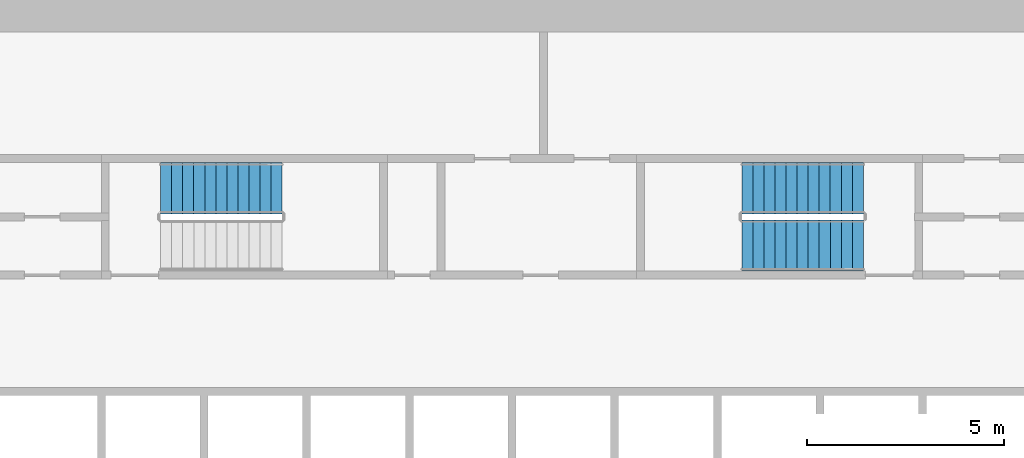
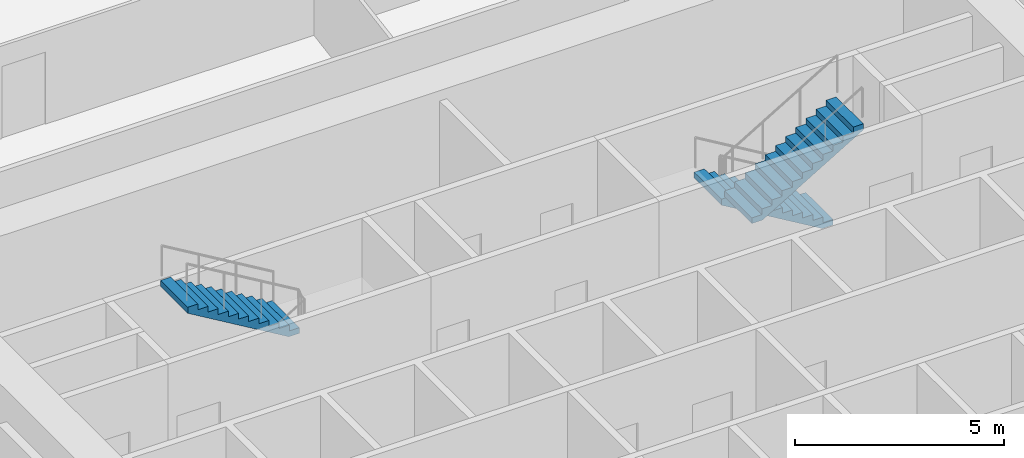
# One storey, part 8 of 10: 3 stair flights, 2 elements without a shape of their own.
"""IFC4 building model written with IfcOpenShell, lengths in metres."""

from ifc_helpers import new_model, si_unit, direction, frame, origin, place, context, subcontext, project, spatial, polyline, outline, extrude, material, type_object, element, aggregate, save


model = new_model("IFC4")

# Units and contexts
model_context = context("Model", 3, precision=1e-05, world=origin(), true_north=direction((0.0, 1.0)))
body_context = subcontext(model_context, "Body", "Model", "MODEL_VIEW")
ifc_project = project(units=[si_unit("LENGTHUNIT", "METRE"), si_unit("AREAUNIT", "SQUARE_METRE"), si_unit("VOLUMEUNIT", "CUBIC_METRE"), si_unit("PLANEANGLEUNIT", "RADIAN"), si_unit("MASSUNIT", "GRAM", prefix="KILO")], contexts=[model_context])

# Site, building, storey
site_placement = place(None, origin())
site = spatial("IfcSite", under=ifc_project, at=site_placement, CompositionType="ELEMENT")
building_placement = place(site_placement, origin())
building = spatial("IfcBuilding", under=site, at=building_placement, Name="Corvane Civic Tower", CompositionType="ELEMENT")
storey_placement = place(building_placement, frame((0.0, 0.0, 118.5)))
storey = spatial("IfcBuildingStorey", under=building, at=storey_placement, Name="L27", CompositionType="ELEMENT", Elevation=118.5)

# Stair, stair flights
ifc_material_1 = material(Name="Concrete C40/50", Category="concrete")
stair_type = type_object("IfcStairType", Name="ST-STAIR-HALFTURN", PredefinedType="HALF_TURN_STAIR", material=ifc_material_1)
stair_1_placement = place(storey_placement, origin())
stair_1 = element("IfcStair", 1, at=stair_1_placement, inside=storey, type_object=stair_type, Name="L27 Exit stair ST1", PredefinedType="HALF_TURN_STAIR")
ifc_material_2 = material(Name="Concrete C40/50", Category="concrete")
stair_flight_type = type_object("IfcStairFlightType", Name="ST-FLIGHT-RC", PredefinedType="STRAIGHT", material=ifc_material_2)
stair_flight_1_placement = place(storey_placement, frame((8.89990234375, 9.550048828125, 0.0), z_axis=(0.0, 0.0, 1.0), x_axis=(-1.0, 0.0, 0.0)))
stair_flight_1 = element("IfcStairFlight", 2, at=stair_flight_1_placement, type_object=stair_flight_type, Name="ST1 flight 1", NumberOfRisers=12, NumberOfTreads=11, PredefinedType="STRAIGHT", RiserHeight=0.166666667, TreadLength=0.28, context=body_context, shape_type="SweptSolid", body=[
    extrude(outline(polyline([(0.0, 0.0), (0.0, 0.166748046875), (0.280029296875, 0.166748046875), (0.280029296875, 0.333251953125), (0.56005859375, 0.333251953125), (0.56005859375, 0.5), (0.840087890625, 0.5), (0.840087890625, 0.666748046875), (1.1201171875, 0.666748046875), (1.1201171875, 0.833251953125), (1.39990234375, 0.833251953125), (1.39990234375, 1.0), (1.679931640625, 1.0), (1.679931640625, 1.166748046875), (1.9599609375, 1.166748046875), (1.9599609375, 1.333251953125), (2.239990234375, 1.333251953125), (2.239990234375, 1.5), (2.52001953125, 1.5), (2.52001953125, 1.666748046875), (2.800048828125, 1.666748046875), (2.800048828125, 1.833251953125), (3.080078125, 1.833251953125), (3.080078125, 2.0), (3.080078125, 1.658935546875), (0.29296875, 0.0), (0.0, 0.0)])), frame((0.0, 0.64990234375, 0.0), z_axis=(0.0, -1.0, 0.0), x_axis=(1.0, 0.0, 0.0)), (0.0, 0.0, 1.0), 1.300048828125),
])
stair_flight_2_placement = place(storey_placement, frame((5.820068359375, 8.10009765625, 2.0), z_axis=(0.0, 0.0, 1.0), x_axis=(1.0, 0.0, 0.0)))
stair_flight_2 = element("IfcStairFlight", 3, at=stair_flight_2_placement, type_object=stair_flight_type, Name="ST1 flight 2", NumberOfRisers=12, NumberOfTreads=11, PredefinedType="STRAIGHT", RiserHeight=0.166666667, TreadLength=0.28, context=body_context, shape_type="SweptSolid", body=[
    extrude(outline(polyline([(0.0, 0.0), (0.0, 0.166748046875), (0.280029296875, 0.166748046875), (0.280029296875, 0.333251953125), (0.56005859375, 0.333251953125), (0.56005859375, 0.5), (0.840087890625, 0.5), (0.840087890625, 0.666748046875), (1.1201171875, 0.666748046875), (1.1201171875, 0.833251953125), (1.39990234375, 0.833251953125), (1.39990234375, 1.0), (1.679931640625, 1.0), (1.679931640625, 1.166748046875), (1.9599609375, 1.166748046875), (1.9599609375, 1.333251953125), (2.239990234375, 1.333251953125), (2.239990234375, 1.5), (2.52001953125, 1.5), (2.52001953125, 1.666748046875), (2.800048828125, 1.666748046875), (2.800048828125, 1.833251953125), (3.080078125, 1.833251953125), (3.080078125, 2.0), (3.080078125, 1.658935546875), (0.29296875, 0.0), (0.0, 0.0)])), frame((0.0, 0.64990234375, 0.0), z_axis=(0.0, -1.0, 0.0), x_axis=(1.0, 0.0, 0.0)), (0.0, 0.0, 1.0), 1.300048828125),
])
aggregate(stair_1, [stair_flight_1, stair_flight_2])

# Stair, stair flight
stair_2_placement = place(storey_placement, origin())
stair_2 = element("IfcStair", 4, at=stair_2_placement, inside=storey, type_object=stair_type, Name="L27 Exit stair ST4", PredefinedType="HALF_TURN_STAIR")
stair_flight_3_placement = place(storey_placement, frame((-5.820068359375, 9.550048828125, 2.0), z_axis=(0.0, 0.0, 1.0), x_axis=(-1.0, 0.0, 0.0)))
stair_flight_3 = element("IfcStairFlight", 5, at=stair_flight_3_placement, type_object=stair_flight_type, Name="ST4 flight 2", NumberOfRisers=12, NumberOfTreads=11, PredefinedType="STRAIGHT", RiserHeight=0.166666667, TreadLength=0.28, context=body_context, shape_type="SweptSolid", body=[
    extrude(outline(polyline([(0.0, 0.0), (0.0, 0.166748046875), (0.280029296875, 0.166748046875), (0.280029296875, 0.333251953125), (0.56005859375, 0.333251953125), (0.56005859375, 0.5), (0.840087890625, 0.5), (0.840087890625, 0.666748046875), (1.1201171875, 0.666748046875), (1.1201171875, 0.833251953125), (1.39990234375, 0.833251953125), (1.39990234375, 1.0), (1.679931640625, 1.0), (1.679931640625, 1.166748046875), (1.9599609375, 1.166748046875), (1.9599609375, 1.333251953125), (2.239990234375, 1.333251953125), (2.239990234375, 1.5), (2.52001953125, 1.5), (2.52001953125, 1.666748046875), (2.800048828125, 1.666748046875), (2.800048828125, 1.833251953125), (3.080078125, 1.833251953125), (3.080078125, 2.0), (3.080078125, 1.658935546875), (0.29296875, 0.0), (0.0, 0.0)])), frame((0.0, 0.64990234375, 0.0), z_axis=(0.0, -1.0, 0.0), x_axis=(1.0, 0.0, 0.0)), (0.0, 0.0, 1.0), 1.300048828125),
])
aggregate(stair_2, [stair_flight_3])

save(model, "model.ifc")
